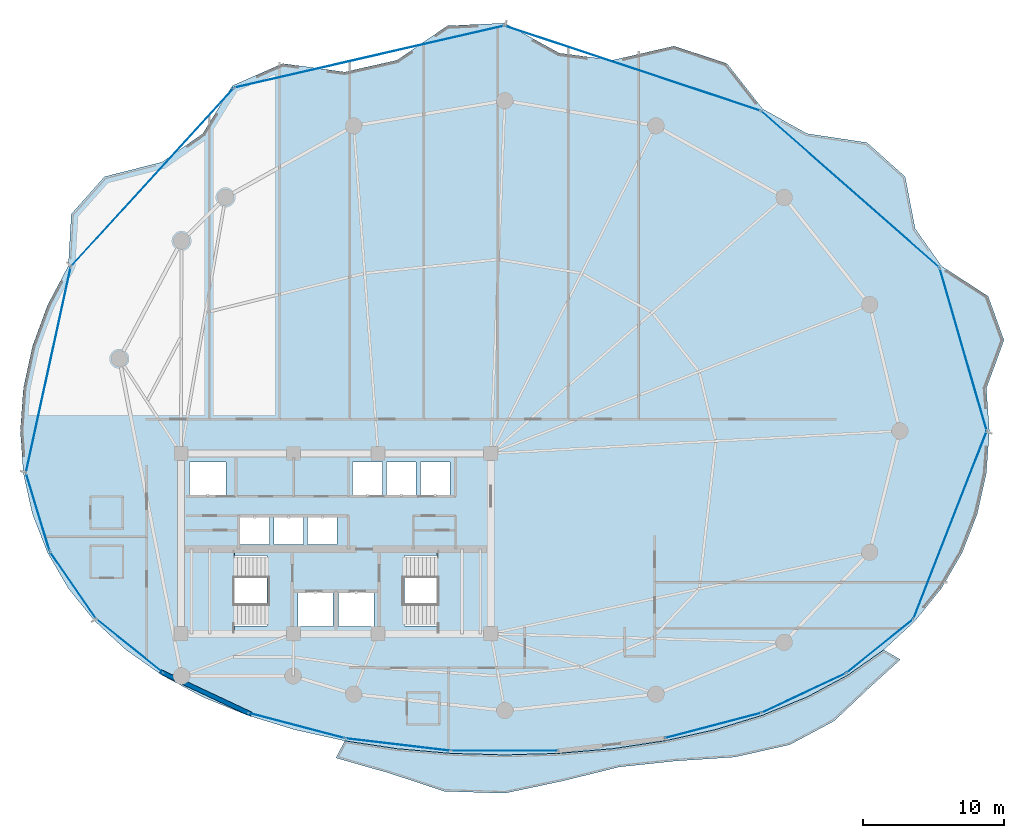
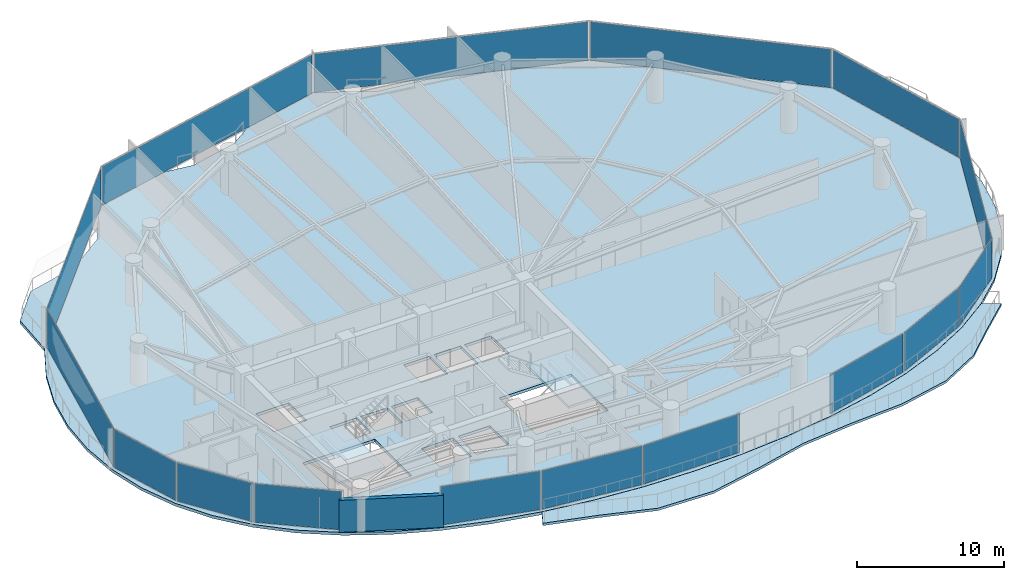
# One storey, part 25 of 34: 16 plates, 4 slabs, 1 wall, 18 elements without a shape of their own.
"""IFC4 building model written with IfcOpenShell, lengths in metres."""

from ifc_helpers import new_model, si_unit, direction, frame, frame_2d, origin, origin_2d, place, context, subcontext, project, spatial, polyline, rectangle, outline, extrude, material, layer, layer_set, type_object, element, aggregate, save


model = new_model("IFC4")

# Units and contexts
model_context = context("Model", 3, precision=1e-05, world=origin(), true_north=direction((0.0, 1.0)))
body_context = subcontext(model_context, "Body", "Model", "MODEL_VIEW")
ifc_project = project(units=[si_unit("LENGTHUNIT", "METRE"), si_unit("AREAUNIT", "SQUARE_METRE"), si_unit("VOLUMEUNIT", "CUBIC_METRE"), si_unit("PLANEANGLEUNIT", "RADIAN"), si_unit("MASSUNIT", "GRAM", prefix="KILO")], contexts=[model_context])

# Site, building, storey
site_placement = place(None, origin())
site = spatial("IfcSite", under=ifc_project, at=site_placement, CompositionType="ELEMENT")
building_placement = place(site_placement, origin())
building = spatial("IfcBuilding", under=site, at=building_placement, Name="Kazevale Care Tower and Concert Hall", CompositionType="ELEMENT")
storey_placement = place(building_placement, frame((0.0, 0.0, 156.60009765625)))
storey = spatial("IfcBuildingStorey", under=building, at=storey_placement, Name="L41", CompositionType="ELEMENT", Elevation=156.60009765625)

# Curtain wall, plate
ifc_material_1 = material(Name="Aluminium 6063-T6 and Low-E Glass", Category="aluminium")
ifc_layer_1 = layer(ifc_material_1, 0.179931640625)
ifc_layer_set_1 = layer_set([ifc_layer_1], Name="Aluminium 6063-T6 and Low-E Glass")
curtain_wall_type_1 = type_object("IfcCurtainWallType", Name="Convex Checkerboard Finned Curtain Wall CW-2", PredefinedType="NOTDEFINED", material=ifc_layer_set_1)
curtain_wall_1_placement = place(storey_placement, origin())
curtain_wall_1 = element("IfcCurtainWall", 1, at=curtain_wall_1_placement, inside=storey, type_object=curtain_wall_type_1, Name="cw:L41:f14", PredefinedType="NOTDEFINED")
ifc_material_2 = material(Name="Low-E Laminated Glass", Category="glass")
ifc_layer_2 = layer(ifc_material_2, 0.028076171875)
ifc_layer_set_2 = layer_set([ifc_layer_2], Name="Low-E Laminated Glass")
plate_type_1 = type_object("IfcPlateType", Name="CW-2 Low-E Glazing Panel 28mm", PredefinedType="CURTAIN_PANEL", material=ifc_layer_set_2)
plate_1_placement = place(storey_placement, frame((19.98388671875, 56.017578125, 0.074951171875), z_axis=(0.0, 0.0, 1.0), x_axis=(0.674262472751, 0.738491785899, 0.0)))
plate_1 = element("IfcPlate", 2, at=plate_1_placement, type_object=plate_type_1, Name="CW-2 panel 1.1", PredefinedType="CURTAIN_PANEL", context=body_context, shape_type="SweptSolid", body=[
    extrude(rectangle(XDim=17.0439453125, YDim=0.028076171875, at=origin_2d()), origin(), (0.0, 0.0, 1.0), 3.2099609375),
])
aggregate(curtain_wall_1, [plate_1])

curtain_wall_2_placement = place(storey_placement, origin())
curtain_wall_2 = element("IfcCurtainWall", 3, at=curtain_wall_2_placement, inside=storey, type_object=curtain_wall_type_1, Name="cw:L41:f16", PredefinedType="NOTDEFINED")
plate_2_placement = place(storey_placement, frame((54.070556640625, 63.7451171875, 0.074951171875), z_axis=(0.0, 0.0, 1.0), x_axis=(0.949135409507, -0.314868185785, 0.0)))
plate_2 = element("IfcPlate", 4, at=plate_2_placement, type_object=plate_type_1, Name="CW-2 panel 1.1", PredefinedType="CURTAIN_PANEL", context=body_context, shape_type="SweptSolid", body=[
    extrude(rectangle(XDim=19.041748046875, YDim=0.028076171875, at=origin_2d()), origin(), (0.0, 0.0, 1.0), 3.2099609375),
])
aggregate(curtain_wall_2, [plate_2])

ifc_layer_3 = layer(ifc_material_1, 0.179931640625)
ifc_layer_set_3 = layer_set([ifc_layer_3], Name="Aluminium 6063-T6 and Low-E Glass")
curtain_wall_type_2 = type_object("IfcCurtainWallType", Name="Convex Recessed Sunroom Curtain Wall CW-3", PredefinedType="NOTDEFINED", material=ifc_layer_set_3)
curtain_wall_3_placement = place(storey_placement, origin())
curtain_wall_3 = element("IfcCurtainWall", 5, at=curtain_wall_3_placement, inside=storey, type_object=curtain_wall_type_2, Name="cw:L41:f15", PredefinedType="NOTDEFINED")
ifc_layer_4 = layer(ifc_material_2, 0.028076171875)
ifc_layer_set_4 = layer_set([ifc_layer_4], Name="Low-E Laminated Glass")
plate_type_2 = type_object("IfcPlateType", Name="CW-3 Low-E Glazing Panel 28mm", PredefinedType="CURTAIN_PANEL", material=ifc_layer_set_4)
plate_3_placement = place(storey_placement, frame((35.37109375, 64.569091796875, 0.074951171875), z_axis=(0.0, 0.0, 1.0), x_axis=(0.974688488327, 0.223567329284, 0.0)))
plate_3 = element("IfcPlate", 6, at=plate_3_placement, type_object=plate_type_2, Name="CW-3 panel 1.1", PredefinedType="CURTAIN_PANEL", context=body_context, shape_type="SweptSolid", body=[
    extrude(rectangle(XDim=19.52197265625, YDim=0.028076171875, at=origin_2d()), origin(), (0.0, 0.0, 1.0), 3.2099609375),
])
aggregate(curtain_wall_3, [plate_3])

curtain_wall_4_placement = place(storey_placement, origin())
curtain_wall_4 = element("IfcCurtainWall", 7, at=curtain_wall_4_placement, inside=storey, type_object=curtain_wall_type_2, Name="cw:L41:f17", PredefinedType="NOTDEFINED")
plate_4_placement = place(storey_placement, frame((69.5244140625, 55.152587890625, 0.074951171875), z_axis=(0.0, 0.0, 1.0), x_axis=(0.751360700182, -0.659891732197, 0.0)))
plate_4 = element("IfcPlate", 8, at=plate_4_placement, type_object=plate_type_2, Name="CW-3 panel 1.1", PredefinedType="CURTAIN_PANEL", context=body_context, shape_type="SweptSolid", body=[
    extrude(rectangle(XDim=16.72998046875, YDim=0.028076171875, at=origin_2d()), origin(), (0.0, 0.0, 1.0), 3.2099609375),
])
aggregate(curtain_wall_4, [plate_4])

ifc_layer_5 = layer(ifc_material_1, 0.179931640625)
ifc_layer_set_5 = layer_set([ifc_layer_5], Name="Aluminium 6063-T6 and Low-E Glass")
curtain_wall_type_3 = type_object("IfcCurtainWallType", Name="Waist & Upper Residential Curtain Wall CW-4", PredefinedType="NOTDEFINED", material=ifc_layer_set_5)
curtain_wall_5_placement = place(storey_placement, origin())
curtain_wall_5 = element("IfcCurtainWall", 9, at=curtain_wall_5_placement, inside=storey, type_object=curtain_wall_type_3, Name="cw:L41:f01", PredefinedType="NOTDEFINED")
ifc_layer_6 = layer(ifc_material_2, 0.030029296875)
ifc_layer_set_6 = layer_set([ifc_layer_6], Name="Low-E Laminated Glass")
plate_type_3 = type_object("IfcPlateType", Name="CW-4 Low-E Glazing Panel 30mm", PredefinedType="CURTAIN_PANEL", material=ifc_layer_set_6)
plate_5_placement = place(storey_placement, frame((76.60791015625, 31.319091796875, 0.080078125), z_axis=(0.0, 0.0, 1.0), x_axis=(-0.36412075471, -0.931351746651, 0.0)))
plate_5 = element("IfcPlate", 10, at=plate_5_placement, type_object=plate_type_3, Name="CW-4 panel 1.1", PredefinedType="CURTAIN_PANEL", context=body_context, shape_type="SweptSolid", body=[
    extrude(rectangle(XDim=14.186767578125, YDim=0.030029296875, at=origin_2d()), origin(), (0.0, 0.0, 1.0), 3.199951171875),
])
aggregate(curtain_wall_5, [plate_5])

curtain_wall_6_placement = place(storey_placement, origin())
curtain_wall_6 = element("IfcCurtainWall", 11, at=curtain_wall_6_placement, inside=storey, type_object=curtain_wall_type_3, Name="cw:L41:f11", PredefinedType="NOTDEFINED")
plate_6_placement = place(storey_placement, frame((14.348388671875, 27.03955078125, 0.080078125), z_axis=(0.0, 0.0, 1.0), x_axis=(-0.567568708131, 0.823326035997, 0.0)))
plate_6 = element("IfcPlate", 12, at=plate_6_placement, type_object=plate_type_3, Name="CW-4 panel 1.1", PredefinedType="CURTAIN_PANEL", context=body_context, shape_type="SweptSolid", body=[
    extrude(rectangle(XDim=5.673583984375, YDim=0.030029296875, at=origin_2d()), origin(), (0.0, 0.0, 1.0), 3.199951171875),
])
aggregate(curtain_wall_6, [plate_6])

curtain_wall_7_placement = place(storey_placement, origin())
curtain_wall_7 = element("IfcCurtainWall", 13, at=curtain_wall_7_placement, inside=storey, type_object=curtain_wall_type_3, Name="cw:L41:f12", PredefinedType="NOTDEFINED")
plate_7_placement = place(storey_placement, frame((11.843994140625, 32.232421875, 0.080078125), z_axis=(0.0, 0.0, 1.0), x_axis=(-0.290977496961, 0.956729897234, 0.0)))
plate_7 = element("IfcPlate", 14, at=plate_7_placement, type_object=plate_type_3, Name="CW-4 panel 1.1", PredefinedType="CURTAIN_PANEL", context=body_context, shape_type="SweptSolid", body=[
    extrude(rectangle(XDim=5.675537109375, YDim=0.030029296875, at=origin_2d()), origin(), (0.0, 0.0, 1.0), 3.199951171875),
])
aggregate(curtain_wall_7, [plate_7])

curtain_wall_8_placement = place(storey_placement, origin())
curtain_wall_8 = element("IfcCurtainWall", 15, at=curtain_wall_8_placement, inside=storey, type_object=curtain_wall_type_3, Name="cw:L41:f13", PredefinedType="NOTDEFINED")
plate_8_placement = place(storey_placement, frame((12.589599609375, 42.344482421875, 0.080078125), z_axis=(0.0, 0.0, 1.0), x_axis=(0.21282305992, 0.977090755849, 0.0)))
plate_8 = element("IfcPlate", 16, at=plate_8_placement, type_object=plate_type_3, Name="CW-4 panel 1.1", PredefinedType="CURTAIN_PANEL", context=body_context, shape_type="SweptSolid", body=[
    extrude(rectangle(XDim=14.82421875, YDim=0.030029296875, at=origin_2d()), origin(), (0.0, 0.0, 1.0), 3.199951171875),
])
aggregate(curtain_wall_8, [plate_8])

curtain_wall_9_placement = place(storey_placement, origin())
curtain_wall_9 = element("IfcCurtainWall", 17, at=curtain_wall_9_placement, inside=storey, type_object=curtain_wall_type_3, Name="cw:L41:f18", PredefinedType="NOTDEFINED")
plate_9_placement = place(storey_placement, frame((77.54296875, 43.79150390625, 0.080078125), z_axis=(0.0, 0.0, 1.0), x_axis=(0.278136604418, -0.960541529182, 0.0)))
plate_9 = element("IfcPlate", 18, at=plate_9_placement, type_object=plate_type_3, Name="CW-4 panel 1.1", PredefinedType="CURTAIN_PANEL", context=body_context, shape_type="SweptSolid", body=[
    extrude(rectangle(XDim=11.89892578125, YDim=0.030029296875, at=origin_2d()), origin(), (0.0, 0.0, 1.0), 3.199951171875),
])
aggregate(curtain_wall_9, [plate_9])

ifc_layer_7 = layer(ifc_material_1, 0.179931640625)
ifc_layer_set_7 = layer_set([ifc_layer_7], Name="Aluminium 6063-T6 and Low-E Glass")
curtain_wall_type_4 = type_object("IfcCurtainWallType", Name="Sheltered Concave Balcony Curtain Wall CW-5", PredefinedType="NOTDEFINED", material=ifc_layer_set_7)
curtain_wall_10_placement = place(storey_placement, origin())
curtain_wall_10 = element("IfcCurtainWall", 19, at=curtain_wall_10_placement, inside=storey, type_object=curtain_wall_type_4, Name="cw:L41:f02", PredefinedType="NOTDEFINED")
ifc_layer_8 = layer(ifc_material_2, 0.02587890625)
ifc_layer_set_8 = layer_set([ifc_layer_8], Name="Low-E Laminated Glass")
plate_type_4 = type_object("IfcPlateType", Name="CW-5 Low-E Glazing Panel 26mm", PredefinedType="CURTAIN_PANEL", material=ifc_layer_set_8)
plate_10_placement = place(storey_placement, frame((71.613037109375, 22.720458984375, 0.074951171875), z_axis=(0.0, 0.0, 1.0), x_axis=(-0.779095419531, -0.626905357502, 0.0)))
plate_10 = element("IfcPlate", 20, at=plate_10_placement, type_object=plate_type_4, Name="CW-5 panel 1.1", PredefinedType="CURTAIN_PANEL", context=body_context, shape_type="SweptSolid", body=[
    extrude(rectangle(XDim=5.96728515625, YDim=0.02587890625, at=origin_2d()), origin(), (0.0, 0.0, 1.0), 3.2099609375),
])
aggregate(curtain_wall_10, [plate_10])

curtain_wall_11_placement = place(storey_placement, origin())
curtain_wall_11 = element("IfcCurtainWall", 21, at=curtain_wall_11_placement, inside=storey, type_object=curtain_wall_type_4, Name="cw:L41:f03", PredefinedType="NOTDEFINED")
plate_11_placement = place(storey_placement, frame((66.235595703125, 19.39697265625, 0.074951171875), z_axis=(0.0, 0.0, 1.0), x_axis=(-0.905188294205, -0.425010766963, 0.0)))
plate_11 = element("IfcPlate", 22, at=plate_11_placement, type_object=plate_type_4, Name="CW-5 panel 1.1", PredefinedType="CURTAIN_PANEL", context=body_context, shape_type="SweptSolid", body=[
    extrude(rectangle(XDim=6.46630859375, YDim=0.02587890625, at=origin_2d()), origin(), (0.0, 0.0, 1.0), 3.2099609375),
])
aggregate(curtain_wall_11, [plate_11])

curtain_wall_12_placement = place(storey_placement, origin())
curtain_wall_12 = element("IfcCurtainWall", 23, at=curtain_wall_12_placement, inside=storey, type_object=curtain_wall_type_4, Name="cw:L41:f04", PredefinedType="NOTDEFINED")
plate_12_placement = place(storey_placement, frame((59.784912109375, 17.08251953125, 0.074951171875), z_axis=(0.0, 0.0, 1.0), x_axis=(-0.967141564797, -0.254238458229, 0.0)))
plate_12 = element("IfcPlate", 24, at=plate_12_placement, type_object=plate_type_4, Name="CW-5 panel 1.1", PredefinedType="CURTAIN_PANEL", context=body_context, shape_type="SweptSolid", body=[
    extrude(rectangle(XDim=6.996826171875, YDim=0.02587890625, at=origin_2d()), origin(), (0.0, 0.0, 1.0), 3.2099609375),
])
aggregate(curtain_wall_12, [plate_12])

curtain_wall_13_placement = place(storey_placement, origin())
curtain_wall_13 = element("IfcCurtainWall", 25, at=curtain_wall_13_placement, inside=storey, type_object=curtain_wall_type_4, Name="cw:L41:f06", PredefinedType="NOTDEFINED")
plate_13_placement = place(storey_placement, frame((45.0, 15.2890625, 0.074951171875), z_axis=(0.0, 0.0, 1.0), x_axis=(-1.0, 0.0, 0.0)))
plate_13 = element("IfcPlate", 26, at=plate_13_placement, type_object=plate_type_4, Name="CW-5 panel 1.1", PredefinedType="CURTAIN_PANEL", context=body_context, shape_type="SweptSolid", body=[
    extrude(rectangle(XDim=7.531982421875, YDim=0.02587890625, at=origin_2d()), origin(), (0.0, 0.0, 1.0), 3.2099609375),
])
aggregate(curtain_wall_13, [plate_13])

curtain_wall_14_placement = place(storey_placement, origin())
curtain_wall_14 = element("IfcCurtainWall", 27, at=curtain_wall_14_placement, inside=storey, type_object=curtain_wall_type_4, Name="cw:L41:f07", PredefinedType="NOTDEFINED")
plate_14_placement = place(storey_placement, frame((37.4150390625, 15.7314453125, 0.074951171875), z_axis=(0.0, 0.0, 1.0), x_axis=(-0.993087997884, 0.117372179238, 0.0)))
plate_14 = element("IfcPlate", 28, at=plate_14_placement, type_object=plate_type_4, Name="CW-5 panel 1.1", PredefinedType="CURTAIN_PANEL", context=body_context, shape_type="SweptSolid", body=[
    extrude(rectangle(XDim=7.39013671875, YDim=0.02587890625, at=origin_2d()), origin(), (0.0, 0.0, 1.0), 3.2099609375),
])
aggregate(curtain_wall_14, [plate_14])

curtain_wall_15_placement = place(storey_placement, origin())
curtain_wall_15 = element("IfcCurtainWall", 29, at=curtain_wall_15_placement, inside=storey, type_object=curtain_wall_type_4, Name="cw:L41:f08", PredefinedType="NOTDEFINED")
plate_15_placement = place(storey_placement, frame((30.215087890625, 17.08251953125, 0.074951171875), z_axis=(0.0, 0.0, 1.0), x_axis=(-0.967141564797, 0.254238458229, 0.0)))
plate_15 = element("IfcPlate", 30, at=plate_15_placement, type_object=plate_type_4, Name="CW-5 panel 1.1", PredefinedType="CURTAIN_PANEL", context=body_context, shape_type="SweptSolid", body=[
    extrude(rectangle(XDim=6.996826171875, YDim=0.02587890625, at=origin_2d()), origin(), (0.0, 0.0, 1.0), 3.2099609375),
])
aggregate(curtain_wall_15, [plate_15])

curtain_wall_16_placement = place(storey_placement, origin())
curtain_wall_16 = element("IfcCurtainWall", 31, at=curtain_wall_16_placement, inside=storey, type_object=curtain_wall_type_4, Name="cw:L41:f10", PredefinedType="NOTDEFINED")
plate_16_placement = place(storey_placement, frame((18.386962890625, 22.720458984375, 0.074951171875), z_axis=(0.0, 0.0, 1.0), x_axis=(-0.779095419531, 0.626905357502, 0.0)))
plate_16 = element("IfcPlate", 32, at=plate_16_placement, type_object=plate_type_4, Name="CW-5 panel 1.1", PredefinedType="CURTAIN_PANEL", context=body_context, shape_type="SweptSolid", body=[
    extrude(rectangle(XDim=5.96728515625, YDim=0.02587890625, at=origin_2d()), origin(), (0.0, 0.0, 1.0), 3.2099609375),
])
aggregate(curtain_wall_16, [plate_16])

# Slab
ifc_material_3 = material(Name="Concrete C40", Category="concrete")
ifc_layer_9 = layer(ifc_material_3, 0.199951171875)
ifc_layer_set_9 = layer_set([ifc_layer_9], Name="Concrete C40")
slab_type_1 = type_object("IfcSlabType", Name="Sinusoidal Concave Balcony Slab 200", PredefinedType="USERDEFINED", material=ifc_layer_set_9)
slab_1_placement = place(storey_placement, frame((0.0, 0.0, -0.2001953125)))
element("IfcSlab", 33, at=slab_1_placement, inside=storey, type_object=slab_type_1, Name="slab:L41:bal", ObjectType="BALCONY", PredefinedType="USERDEFINED", context=body_context, shape_type="SweptSolid", body=[
    extrude(outline(polyline([(73.080078125, 21.767822265625), (70.738037109375, 19.64111328125), (68.37890625, 17.405517578125), (65.21240234375, 15.715087890625), (61.29638671875, 14.840087890625), (57.101806640625, 14.564208984375), (53.096435546875, 14.138671875), (49.1787109375, 13.164794921875), (45.0, 12.2763671875), (40.69482421875, 12.41357421875), (36.76025390625, 13.716552734375), (33.011474609375, 14.783203125), (33.635986328125, 15.992919921875), (33.637451171875, 15.992431640625), (37.3447265625, 15.435546875), (41.148193359375, 15.104736328125), (45.0, 14.9951171875), (48.851806640625, 15.104736328125), (52.6552734375, 15.435546875), (56.362548828125, 15.992431640625), (59.927001953125, 16.783447265625), (63.3037109375, 17.81689453125), (66.4501953125, 19.101806640625), (69.3271484375, 20.64501953125), (71.898193359375, 22.44921875), (71.899658203125, 22.450439453125), (73.080078125, 21.767822265625)])), origin(), (0.0, 0.0, 1.0), 0.2001953125),
])

# Stair, slab
stair_type = type_object("IfcStairType", Name="Exit Stair Assembly ST1-Z2", PredefinedType="HALF_TURN_STAIR", material=ifc_material_3)
stair_1_placement = place(storey_placement, origin())
stair_1 = element("IfcStair", 34, at=stair_1_placement, inside=storey, type_object=stair_type, Name="stair:L41:ST1", PredefinedType="HALF_TURN_STAIR")
ifc_layer_10 = layer(ifc_material_3, 0.199951171875)
ifc_layer_set_10 = layer_set([ifc_layer_10], Name="Concrete C40")
slab_type_2 = type_object("IfcSlabType", Name="Stair Half-Landing Slab ST1-Z2", PredefinedType="LANDING", material=ifc_layer_set_10)
slab_2_placement = place(storey_placement, frame((0.0, 0.0, 1.599853515625)))
slab_2 = element("IfcSlab", 35, at=slab_2_placement, type_object=slab_type_2, Name="ST1-Z2 landing 1", PredefinedType="LANDING", context=body_context, shape_type="SweptSolid", body=[
    extrude(outline(polyline([(22.050048828125, 23.699951171875), (25.81005859375, 23.699951171875), (25.81005859375, 29.5), (22.050048828125, 29.5), (22.050048828125, 23.699951171875)])), origin(), (0.0, 0.0, 1.0), 0.199951171875),
])
aggregate(stair_1, [slab_2])

stair_2_placement = place(storey_placement, origin())
stair_2 = element("IfcStair", 36, at=stair_2_placement, inside=storey, type_object=stair_type, Name="stair:L41:ST2", PredefinedType="HALF_TURN_STAIR")
slab_3_placement = place(storey_placement, frame((0.0, 0.0, 1.599853515625)))
slab_3 = element("IfcSlab", 37, at=slab_3_placement, type_object=slab_type_2, Name="ST1-Z2 landing 1", PredefinedType="LANDING", context=body_context, shape_type="SweptSolid", body=[
    extrude(outline(polyline([(40.18994140625, 23.699951171875), (43.949951171875, 23.699951171875), (43.949951171875, 29.5), (40.18994140625, 29.5), (40.18994140625, 23.699951171875)])), origin(), (0.0, 0.0, 1.0), 0.199951171875),
])
aggregate(stair_2, [slab_3])

# Slab
ifc_layer_11 = layer(ifc_material_3, 0.239990234375)
ifc_layer_set_11 = layer_set([ifc_layer_11], Name="Concrete C40")
slab_type_3 = type_object("IfcSlabType", Name="Tower Typical Floor Slab 240", PredefinedType="FLOOR", material=ifc_layer_set_11)
slab_4_placement = place(storey_placement, frame((0.0, 0.0, -0.239990234375)))
element("IfcSlab", 38, at=slab_4_placement, inside=storey, type_object=slab_type_3, Name="slab:L41:tw:1", PredefinedType="FLOOR", context=body_context, shape_type="SweptSolid", body=[
    extrude(outline(polyline([(79.39990234375, 38.0), (79.18359375, 41.02294921875), (80.438720703125, 44.44189453125), (79.310302734375, 47.5615234375), (75.993408203125, 49.71484375), (74.127197265625, 52.364990234375), (73.419677734375, 56.050048828125), (70.703369140625, 58.470703125), (66.447998046875, 59.109619140625), (63.302001953125, 60.861572265625), (60.771728515625, 64.0830078125), (57.005615234375, 65.325439453125), (52.65478515625, 64.322998046875), (48.8515625, 64.830078125), (45.0, 66.949951171875), (40.93017578125, 66.76806640625), (37.34521484375, 64.322998046875), (33.638427734375, 63.48486328125), (29.228271484375, 64.0830078125), (25.66064453125, 62.5126953125), (23.552001953125, 59.109619140625), (20.675537109375, 57.091796875), (16.580322265625, 56.050048828125), (14.2216796875, 53.40234375), (14.006591796875, 49.71484375), (12.530517578125, 46.91748046875), (11.46240234375, 44.008056640625), (10.81640625, 41.02294921875), (10.60009765625, 38.0), (10.81640625, 34.997802734375), (11.46240234375, 32.1005859375), (12.530517578125, 29.362548828125), (14.006591796875, 26.82421875), (15.872802734375, 24.514892578125), (18.10498046875, 22.452880859375), (20.675537109375, 20.649169921875), (23.552001953125, 19.1064453125), (26.697998046875, 17.821533203125), (30.074462890625, 16.7880859375), (33.638427734375, 15.997314453125), (37.34521484375, 15.4404296875), (41.1484375, 15.109619140625), (45.0, 15.0), (48.8515625, 15.109619140625), (52.65478515625, 15.4404296875), (56.361572265625, 15.997314453125), (59.925537109375, 16.7880859375), (63.302001953125, 17.821533203125), (66.447998046875, 19.1064453125), (69.324462890625, 20.649169921875), (71.89501953125, 22.452880859375), (74.127197265625, 24.514892578125), (75.993408203125, 26.82421875), (77.469482421875, 29.362548828125), (78.53759765625, 32.1005859375), (79.18359375, 34.997802734375), (79.39990234375, 38.0)]), holes=[polyline([(22.449951171875, 24.14990234375), (28.110107421875, 24.14990234375), (28.110107421875, 29.14990234375), (22.449951171875, 29.14990234375), (22.449951171875, 24.14990234375)]), polyline([(37.889892578125, 24.14990234375), (43.550048828125, 24.14990234375), (43.550048828125, 29.14990234375), (37.889892578125, 29.14990234375), (37.889892578125, 24.14990234375)]), polyline([(30.300048828125, 24.10009765625), (32.800048828125, 24.10009765625), (32.800048828125, 26.60009765625), (30.300048828125, 26.60009765625), (30.300048828125, 24.10009765625)]), polyline([(33.199951171875, 24.10009765625), (35.699951171875, 24.10009765625), (35.699951171875, 26.60009765625), (33.199951171875, 26.60009765625), (33.199951171875, 24.10009765625)]), polyline([(22.60009765625, 33.39990234375), (25.199951171875, 33.39990234375), (25.199951171875, 35.800048828125), (22.60009765625, 35.800048828125), (22.60009765625, 33.39990234375)]), polyline([(34.199951171875, 33.39990234375), (36.300048828125, 33.39990234375), (36.300048828125, 35.800048828125), (34.199951171875, 35.800048828125), (34.199951171875, 33.39990234375)]), polyline([(36.60009765625, 33.39990234375), (38.699951171875, 33.39990234375), (38.699951171875, 35.800048828125), (36.60009765625, 35.800048828125), (36.60009765625, 33.39990234375)]), polyline([(39.0, 33.39990234375), (41.10009765625, 33.39990234375), (41.10009765625, 35.800048828125), (39.0, 35.800048828125), (39.0, 33.39990234375)]), polyline([(26.199951171875, 29.949951171875), (28.300048828125, 29.949951171875), (28.300048828125, 31.949951171875), (26.199951171875, 31.949951171875), (26.199951171875, 29.949951171875)]), polyline([(28.60009765625, 29.949951171875), (30.699951171875, 29.949951171875), (30.699951171875, 31.949951171875), (28.60009765625, 31.949951171875), (28.60009765625, 29.949951171875)]), polyline([(31.0, 29.949951171875), (33.10009765625, 29.949951171875), (33.10009765625, 31.949951171875), (31.0, 31.949951171875), (31.0, 29.949951171875)])]), origin(), (0.0, 0.0, 1.0), 0.239990234375),
])

# Wall
ifc_material_4 = material(Name="Concrete C40 with Honed Limestone Cladding", Category="masonry")
ifc_layer_12 = layer(ifc_material_4, 0.320068359375)
ifc_layer_set_12 = layer_set([ifc_layer_12], Name="Concrete C40 with Honed Limestone Cladding")
wall_type = type_object("IfcWallType", Name="Tower Honed Limestone Spandrel Wall 320", PredefinedType="STANDARD", material=ifc_layer_set_12)
wall_placement = place(storey_placement, frame((26.993896484375, 17.8798828125, 0.0), z_axis=(0.0, 0.0, 1.0), x_axis=(-0.905106920297, 0.425184034073, 0.0)))
element("IfcWall", 39, at=wall_placement, inside=storey, type_object=wall_type, Name="wall:cw:L41:f09", PredefinedType="STANDARD", context=body_context, shape_type="SweptSolid", body=[
    extrude(rectangle(XDim=7.13623046875, YDim=0.320068359375, at=frame_2d((3.568115234375, 0.0))), origin(), (0.0, 0.0, 1.0), 2.656982421875),
])

save(model, "model.ifc")
